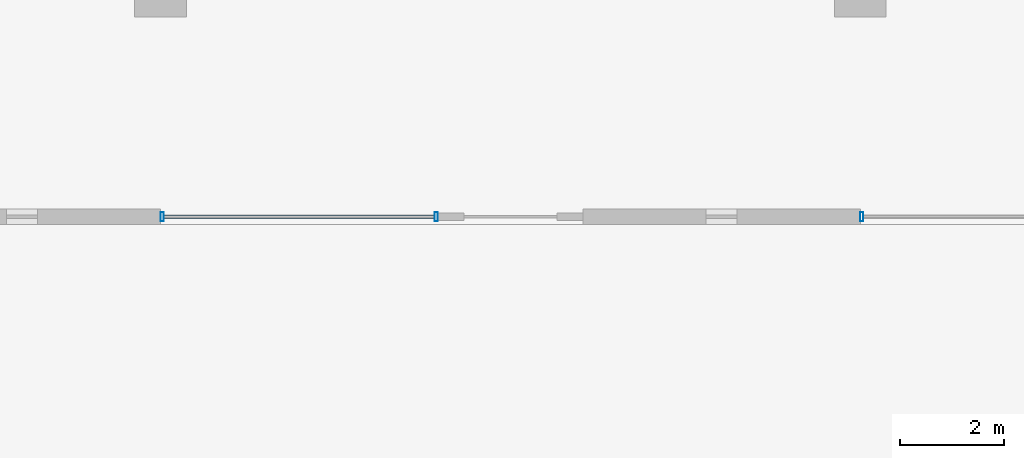
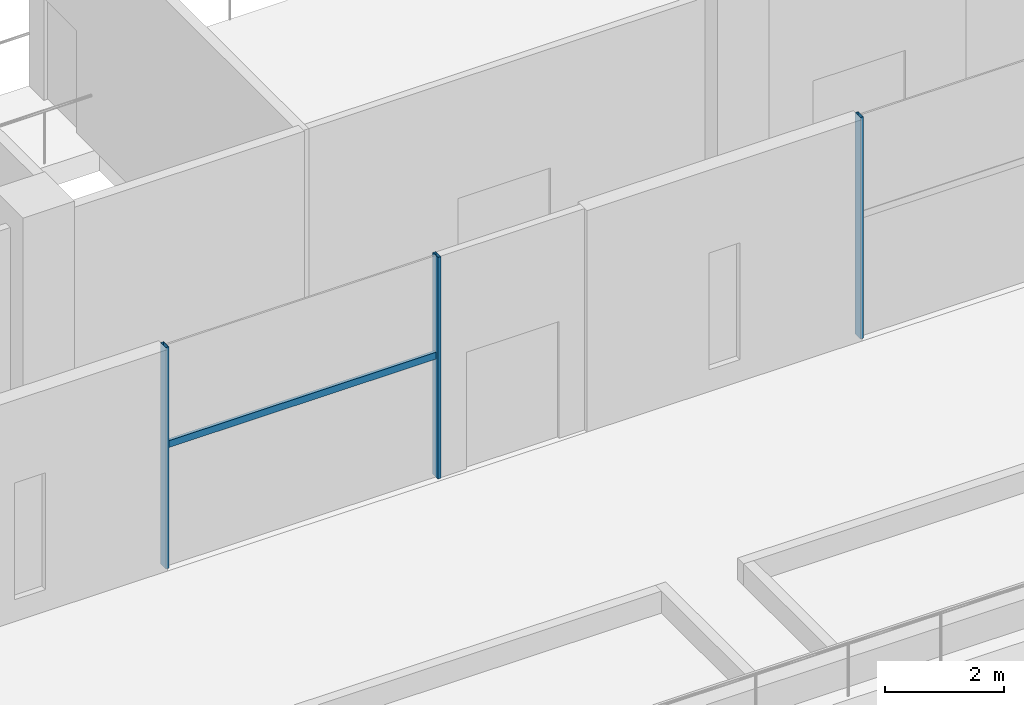
# One storey, part 10 of 49: 4 members, 2 elements without a shape of their own.
"""IFC4 building model written with IfcOpenShell, lengths in metres."""

from ifc_helpers import new_model, si_unit, direction, frame, origin, origin_2d, place, context, subcontext, project, spatial, hollow_rectangle, extrude, material, material_profile, profile_set, type_object, element, aggregate, save


model = new_model("IFC4")

# Units and contexts
model_context = context("Model", 3, precision=1e-05, world=origin(), true_north=direction((0.0, 1.0)))
body_context = subcontext(model_context, "Body", "Model", "MODEL_VIEW")
ifc_project = project(units=[si_unit("LENGTHUNIT", "METRE"), si_unit("AREAUNIT", "SQUARE_METRE"), si_unit("VOLUMEUNIT", "CUBIC_METRE"), si_unit("PLANEANGLEUNIT", "RADIAN"), si_unit("MASSUNIT", "GRAM", prefix="KILO")], contexts=[model_context])

# Site, building, storey
site_placement = place(None, origin())
site = spatial("IfcSite", under=ifc_project, at=site_placement, CompositionType="ELEMENT")
building_placement = place(site_placement, origin())
building = spatial("IfcBuilding", under=site, at=building_placement, Name="Altepetl Exchange Towers", CompositionType="ELEMENT")
storey_placement = place(building_placement, frame((0.0, 0.0, 11.5)))
storey = spatial("IfcBuildingStorey", under=building, at=storey_placement, Name="L02 Exchange podium", CompositionType="ELEMENT", Elevation=11.5)

# Curtain wall, members
ifc_material_1 = material(Name="Aluminium 6063-T6 glazing", Category="aluminium")
curtain_wall_type = type_object("IfcCurtainWallType", Name="Podium storefront system", PredefinedType="NOTDEFINED", material=ifc_material_1)
curtain_wall_1_placement = place(storey_placement, origin())
curtain_wall_1 = element("IfcCurtainWall", 1, at=curtain_wall_1_placement, inside=storey, type_object=curtain_wall_type, Name="CW5 run", PredefinedType="NOTDEFINED")
ifc_material_2 = material(Name="Aluminium 6063-T6", Category="aluminium")
ifc_material_profile_1 = material_profile(ifc_material_2, hollow_rectangle(XDim=0.06005859375, YDim=0.175048828125, WallThickness=0.0029296875, at=origin_2d()), Name="Mullion 60x175 aluminium")
ifc_profile_set_1 = profile_set([ifc_material_profile_1], Name="Aluminium 6063-T6")
member_type_1 = type_object("IfcMemberType", Name="Mullion 60x175 aluminium", PredefinedType="MULLION", material=ifc_profile_set_1)
member_1_placement = place(storey_placement, frame((76.530029296875, 18.14990234375, 0.0)))
member_1 = element("IfcMember", 2, at=member_1_placement, type_object=member_type_1, Name="MU4 mullion", PredefinedType="MULLION", context=body_context, shape_type="SweptSolid", body=[
    extrude(hollow_rectangle(XDim=0.06005859375, YDim=0.175048828125, WallThickness=0.0029296875, at=origin_2d()), origin(), (0.0, 0.0, 1.0), 4.550048828125),
])
member_2_placement = place(storey_placement, frame((81.820068359375, 18.14990234375, 0.0)))
member_2 = element("IfcMember", 3, at=member_2_placement, type_object=member_type_1, Name="MU4 mullion", PredefinedType="MULLION", context=body_context, shape_type="SweptSolid", body=[
    extrude(hollow_rectangle(XDim=0.06005859375, YDim=0.175048828125, WallThickness=0.0029296875, at=origin_2d()), origin(), (0.0, 0.0, 1.0), 4.550048828125),
])

# Curtain wall, member
curtain_wall_2_placement = place(storey_placement, origin())
curtain_wall_2 = element("IfcCurtainWall", 4, at=curtain_wall_2_placement, inside=storey, type_object=curtain_wall_type, Name="CW5 run", PredefinedType="NOTDEFINED")
member_3_placement = place(storey_placement, frame((90.030029296875, 18.14990234375, 0.0)))
member_3 = element("IfcMember", 5, at=member_3_placement, type_object=member_type_1, Name="MU4 mullion", PredefinedType="MULLION", context=body_context, shape_type="SweptSolid", body=[
    extrude(hollow_rectangle(XDim=0.06005859375, YDim=0.175048828125, WallThickness=0.0029296875, at=origin_2d()), origin(), (0.0, 0.0, 1.0), 4.550048828125),
])
aggregate(curtain_wall_2, [member_3])

# Member
ifc_material_profile_2 = material_profile(ifc_material_2, hollow_rectangle(XDim=0.06005859375, YDim=0.139892578125, WallThickness=0.0029296875, at=origin_2d()), Name="Transom 60x140 aluminium")
ifc_profile_set_2 = profile_set([ifc_material_profile_2], Name="Aluminium 6063-T6")
member_type_2 = type_object("IfcMemberType", Name="Transom 60x140 aluminium", PredefinedType="USERDEFINED", material=ifc_profile_set_2)
member_4_placement = place(storey_placement, frame((76.56005859375, 18.14990234375, 2.5), z_axis=(1.0, 0.0, 0.0), x_axis=(0.0, 1.0, 0.0)))
member_4 = element("IfcMember", 6, at=member_4_placement, type_object=member_type_2, Name="TR3 transom", ObjectType="TRANSOM", PredefinedType="USERDEFINED", context=body_context, shape_type="SweptSolid", body=[
    extrude(hollow_rectangle(XDim=0.06005859375, YDim=0.139892578125, WallThickness=0.0029296875, at=origin_2d()), origin(), (0.0, 0.0, 1.0), 5.22998046875),
])

aggregate(curtain_wall_1, [member_1, member_2, member_4])

save(model, "model.ifc")
